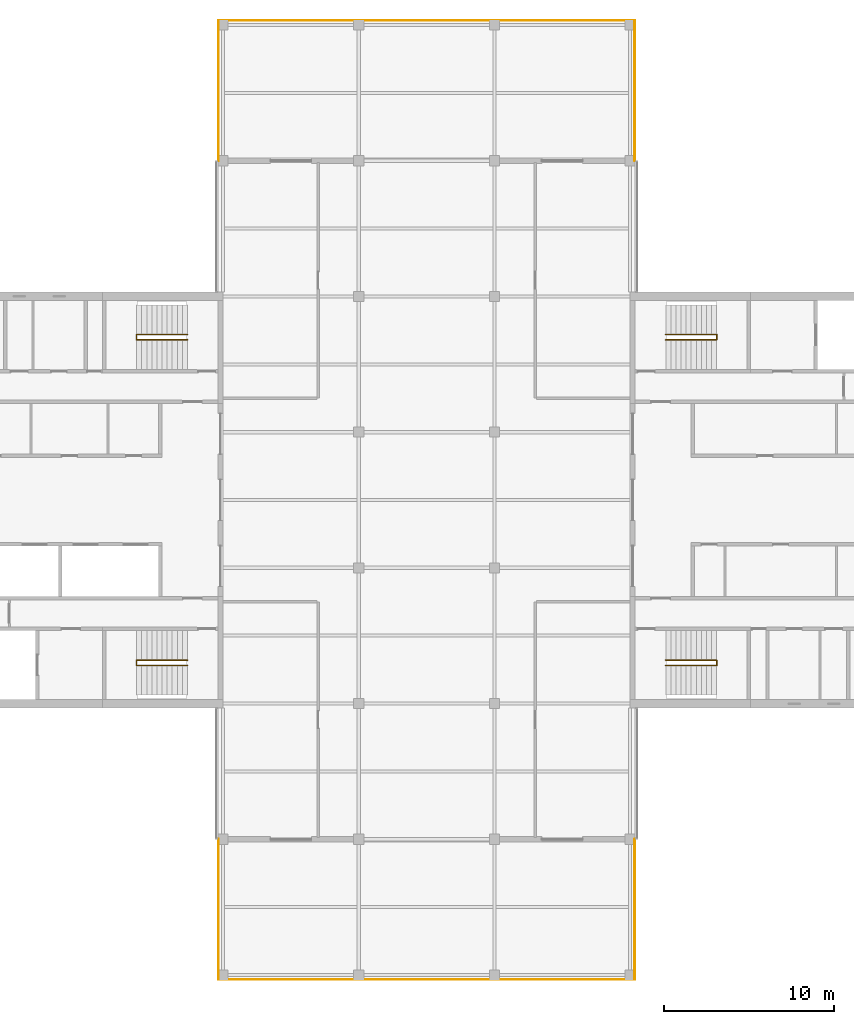
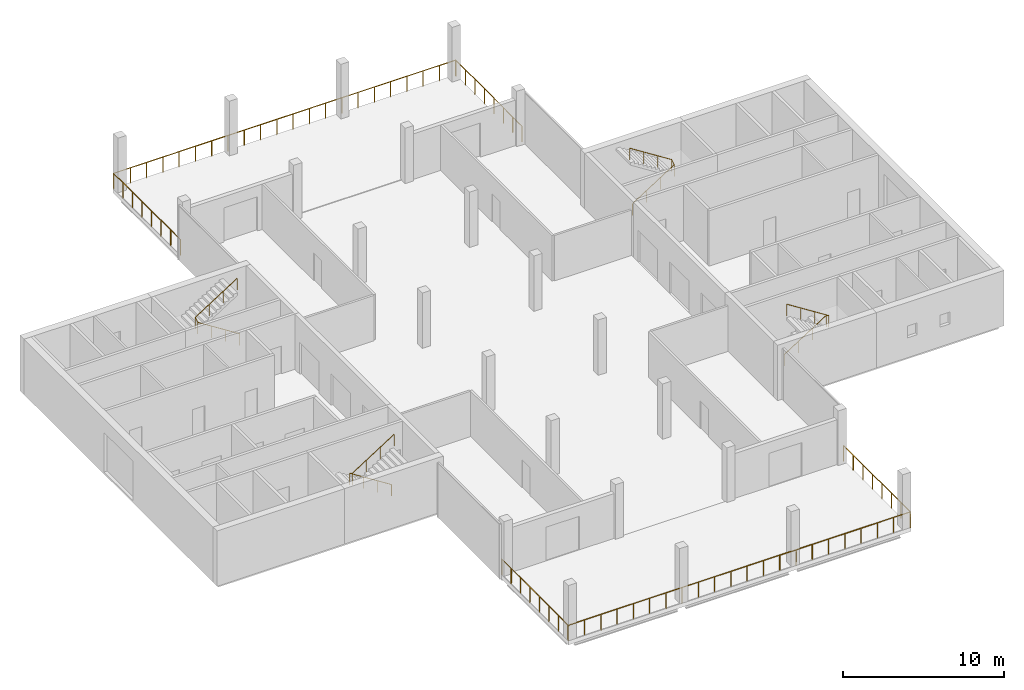
# One storey, part 12 of 12: 10 railings.
"""IFC4 building model written with IfcOpenShell, lengths in metres."""

from ifc_helpers import new_model, si_unit, direction, frame, origin, origin_2d, place, context, subcontext, project, spatial, circle, extrude, material, type_object, element, save


model = new_model("IFC4")

# Units and contexts
model_context = context("Model", 3, precision=1e-05, world=origin(), true_north=direction((0.0, 1.0)))
body_context = subcontext(model_context, "Body", "Model", "MODEL_VIEW")
ifc_project = project(units=[si_unit("LENGTHUNIT", "METRE"), si_unit("AREAUNIT", "SQUARE_METRE"), si_unit("VOLUMEUNIT", "CUBIC_METRE"), si_unit("PLANEANGLEUNIT", "RADIAN"), si_unit("MASSUNIT", "GRAM", prefix="KILO")], contexts=[model_context])

# Site, building, storey
site_placement = place(None, origin())
site = spatial("IfcSite", under=ifc_project, at=site_placement, CompositionType="ELEMENT")
building_placement = place(site_placement, origin())
building = spatial("IfcBuilding", under=site, at=building_placement, Name="Crosswind Convention Tower", CompositionType="ELEMENT")
storey_placement = place(building_placement, frame((0.0, 0.0, 332.300048828125)))
storey = spatial("IfcBuildingStorey", under=building, at=storey_placement, Name="L72", CompositionType="ELEMENT", Elevation=332.300048828125)

# Railings
ifc_material_1 = material(Name="Stainless steel", Category="steel")
railing_type_1 = type_object("IfcRailingType", Name="Stair handrail 900", PredefinedType="HANDRAIL", material=ifc_material_1)
railing_1_placement = place(storey_placement, frame((139.10009765625, 109.43994140625, 0.19091796875)))
element("IfcRailing", 1, at=railing_1_placement, inside=storey, type_object=railing_type_1, Name="Stair ST1 handrail L72", PredefinedType="HANDRAIL", context=body_context, shape_type="SweptSolid", body=[
    extrude(circle(Radius=0.02392578125, at=origin_2d()), frame((0.0, 0.0, 0.8759765625), z_axis=(0.843681277094, 0.0, 0.536844393359), x_axis=(0.0, 1.0, 0.0)), (0.0, 0.0, 1.0), 3.555908203125),
    extrude(circle(Radius=0.02392578125, at=origin_2d()), frame((3.0, 0.0, 2.78466796875), z_axis=(0.0, 0.858819504967, 0.512278301208), x_axis=(-1.0, 0.0, 0.0)), (0.0, 0.0, 1.0), 0.372802734375),
    extrude(circle(Radius=0.02392578125, at=origin_2d()), frame((3.0, 0.320068359375, 2.9755859375), z_axis=(-0.843650179428, 0.0, 0.536893261973), x_axis=(0.0, -1.0, 0.0)), (0.0, 0.0, 1.0), 3.555908203125),
    extrude(circle(Radius=0.02099609375, at=origin_2d()), origin(), (0.0, 0.0, 1.0), 0.851806640625),
    extrude(circle(Radius=0.02099609375, at=origin_2d()), frame((1.0, 0.0, 0.63623046875)), (0.0, 0.0, 1.0), 0.851806640625),
    extrude(circle(Radius=0.02099609375, at=origin_2d()), frame((2.0, 0.0, 1.272705078125)), (0.0, 0.0, 1.0), 0.851806640625),
    extrude(circle(Radius=0.02099609375, at=origin_2d()), frame((3.0, 0.0, 1.908935546875)), (0.0, 0.0, 1.0), 0.851806640625),
    extrude(circle(Radius=0.02099609375, at=origin_2d()), frame((3.0, 0.320068359375, 2.099853515625)), (0.0, 0.0, 1.0), 0.851806640625),
    extrude(circle(Radius=0.02099609375, at=origin_2d()), frame((2.0, 0.320068359375, 2.736328125)), (0.0, 0.0, 1.0), 0.851806640625),
    extrude(circle(Radius=0.02099609375, at=origin_2d()), frame((1.0, 0.320068359375, 3.37255859375)), (0.0, 0.0, 1.0), 0.851806640625),
    extrude(circle(Radius=0.02099609375, at=origin_2d()), frame((0.0, 0.320068359375, 4.009033203125)), (0.0, 0.0, 1.0), 0.851806640625),
])
railing_2_placement = place(storey_placement, frame((139.10009765625, 90.56005859375, 0.19091796875)))
element("IfcRailing", 2, at=railing_2_placement, inside=storey, type_object=railing_type_1, Name="Stair ST2 handrail L72", PredefinedType="HANDRAIL", context=body_context, shape_type="SweptSolid", body=[
    extrude(circle(Radius=0.02392578125, at=origin_2d()), frame((0.0, 0.0, 0.8759765625), z_axis=(0.843681277094, 0.0, 0.536844393359), x_axis=(0.0, 1.0, 0.0)), (0.0, 0.0, 1.0), 3.555908203125),
    extrude(circle(Radius=0.02392578125, at=origin_2d()), frame((3.0, 0.0, 2.78466796875), z_axis=(0.0, -0.858819504967, 0.512278301208), x_axis=(1.0, 0.0, 0.0)), (0.0, 0.0, 1.0), 0.372802734375),
    extrude(circle(Radius=0.02392578125, at=origin_2d()), frame((3.0, -0.320068359375, 2.9755859375), z_axis=(-0.843650179428, 0.0, 0.536893261973), x_axis=(0.0, -1.0, 0.0)), (0.0, 0.0, 1.0), 3.555908203125),
    extrude(circle(Radius=0.02099609375, at=origin_2d()), origin(), (0.0, 0.0, 1.0), 0.851806640625),
    extrude(circle(Radius=0.02099609375, at=origin_2d()), frame((1.0, 0.0, 0.63623046875)), (0.0, 0.0, 1.0), 0.851806640625),
    extrude(circle(Radius=0.02099609375, at=origin_2d()), frame((2.0, 0.0, 1.272705078125)), (0.0, 0.0, 1.0), 0.851806640625),
    extrude(circle(Radius=0.02099609375, at=origin_2d()), frame((3.0, 0.0, 1.908935546875)), (0.0, 0.0, 1.0), 0.851806640625),
    extrude(circle(Radius=0.02099609375, at=origin_2d()), frame((3.0, -0.320068359375, 2.099853515625)), (0.0, 0.0, 1.0), 0.851806640625),
    extrude(circle(Radius=0.02099609375, at=origin_2d()), frame((2.0, -0.320068359375, 2.736328125)), (0.0, 0.0, 1.0), 0.851806640625),
    extrude(circle(Radius=0.02099609375, at=origin_2d()), frame((1.0, -0.320068359375, 3.37255859375)), (0.0, 0.0, 1.0), 0.851806640625),
    extrude(circle(Radius=0.02099609375, at=origin_2d()), frame((0.0, -0.320068359375, 4.009033203125)), (0.0, 0.0, 1.0), 0.851806640625),
])
railing_3_placement = place(storey_placement, frame((110.89990234375, 90.56005859375, 0.19091796875)))
element("IfcRailing", 3, at=railing_3_placement, inside=storey, type_object=railing_type_1, Name="Stair ST3 handrail L72", PredefinedType="HANDRAIL", context=body_context, shape_type="SweptSolid", body=[
    extrude(circle(Radius=0.02392578125, at=origin_2d()), frame((0.0, 0.0, 0.8759765625), z_axis=(-0.843681277094, 0.0, 0.536844393359), x_axis=(0.0, -1.0, 0.0)), (0.0, 0.0, 1.0), 3.555908203125),
    extrude(circle(Radius=0.02392578125, at=origin_2d()), frame((-3.0, 0.0, 2.78466796875), z_axis=(0.0, -0.858819504967, 0.512278301208), x_axis=(1.0, 0.0, 0.0)), (0.0, 0.0, 1.0), 0.372802734375),
    extrude(circle(Radius=0.02392578125, at=origin_2d()), frame((-3.0, -0.320068359375, 2.9755859375), z_axis=(0.843650179428, 0.0, 0.536893261973), x_axis=(0.0, 1.0, 0.0)), (0.0, 0.0, 1.0), 3.555908203125),
    extrude(circle(Radius=0.02099609375, at=origin_2d()), origin(), (0.0, 0.0, 1.0), 0.851806640625),
    extrude(circle(Radius=0.02099609375, at=origin_2d()), frame((-1.0, 0.0, 0.63623046875)), (0.0, 0.0, 1.0), 0.851806640625),
    extrude(circle(Radius=0.02099609375, at=origin_2d()), frame((-2.0, 0.0, 1.272705078125)), (0.0, 0.0, 1.0), 0.851806640625),
    extrude(circle(Radius=0.02099609375, at=origin_2d()), frame((-3.0, 0.0, 1.908935546875)), (0.0, 0.0, 1.0), 0.851806640625),
    extrude(circle(Radius=0.02099609375, at=origin_2d()), frame((-3.0, -0.320068359375, 2.099853515625)), (0.0, 0.0, 1.0), 0.851806640625),
    extrude(circle(Radius=0.02099609375, at=origin_2d()), frame((-2.0, -0.320068359375, 2.736328125)), (0.0, 0.0, 1.0), 0.851806640625),
    extrude(circle(Radius=0.02099609375, at=origin_2d()), frame((-1.0, -0.320068359375, 3.37255859375)), (0.0, 0.0, 1.0), 0.851806640625),
    extrude(circle(Radius=0.02099609375, at=origin_2d()), frame((0.0, -0.320068359375, 4.009033203125)), (0.0, 0.0, 1.0), 0.851806640625),
])
railing_4_placement = place(storey_placement, frame((110.89990234375, 109.43994140625, 0.19091796875)))
element("IfcRailing", 4, at=railing_4_placement, inside=storey, type_object=railing_type_1, Name="Stair ST4 handrail L72", PredefinedType="HANDRAIL", context=body_context, shape_type="SweptSolid", body=[
    extrude(circle(Radius=0.02392578125, at=origin_2d()), frame((0.0, 0.0, 0.8759765625), z_axis=(-0.843681277094, 0.0, 0.536844393359), x_axis=(0.0, -1.0, 0.0)), (0.0, 0.0, 1.0), 3.555908203125),
    extrude(circle(Radius=0.02392578125, at=origin_2d()), frame((-3.0, 0.0, 2.78466796875), z_axis=(0.0, 0.858819504967, 0.512278301208), x_axis=(-1.0, 0.0, 0.0)), (0.0, 0.0, 1.0), 0.372802734375),
    extrude(circle(Radius=0.02392578125, at=origin_2d()), frame((-3.0, 0.320068359375, 2.9755859375), z_axis=(0.843650179428, 0.0, 0.536893261973), x_axis=(0.0, 1.0, 0.0)), (0.0, 0.0, 1.0), 3.555908203125),
    extrude(circle(Radius=0.02099609375, at=origin_2d()), origin(), (0.0, 0.0, 1.0), 0.851806640625),
    extrude(circle(Radius=0.02099609375, at=origin_2d()), frame((-1.0, 0.0, 0.63623046875)), (0.0, 0.0, 1.0), 0.851806640625),
    extrude(circle(Radius=0.02099609375, at=origin_2d()), frame((-2.0, 0.0, 1.272705078125)), (0.0, 0.0, 1.0), 0.851806640625),
    extrude(circle(Radius=0.02099609375, at=origin_2d()), frame((-3.0, 0.0, 1.908935546875)), (0.0, 0.0, 1.0), 0.851806640625),
    extrude(circle(Radius=0.02099609375, at=origin_2d()), frame((-3.0, 0.320068359375, 2.099853515625)), (0.0, 0.0, 1.0), 0.851806640625),
    extrude(circle(Radius=0.02099609375, at=origin_2d()), frame((-2.0, 0.320068359375, 2.736328125)), (0.0, 0.0, 1.0), 0.851806640625),
    extrude(circle(Radius=0.02099609375, at=origin_2d()), frame((-1.0, 0.320068359375, 3.37255859375)), (0.0, 0.0, 1.0), 0.851806640625),
    extrude(circle(Radius=0.02099609375, at=origin_2d()), frame((0.0, 0.320068359375, 4.009033203125)), (0.0, 0.0, 1.0), 0.851806640625),
])
ifc_material_2 = material(Name="Stainless steel guard", Category="steel")
railing_type_2 = type_object("IfcRailingType", Name="WIND FLOOR GUARD 1200", PredefinedType="GUARDRAIL", material=ifc_material_2)
railing_5_placement = place(storey_placement, frame((112.72509765625, 119.989990234375, 0.0)))
element("IfcRailing", 5, at=railing_5_placement, inside=storey, type_object=railing_type_2, Name="R12 guard L72 1", PredefinedType="GUARDRAIL", context=body_context, shape_type="SweptSolid", body=[
    extrude(circle(Radius=0.01904296875, at=origin_2d()), frame((0.0, 0.0, 1.180908203125), z_axis=(0.0, 1.0, 0.0), x_axis=(-1.0, 0.0, 0.0)), (0.0, 0.0, 1.0), 8.284912109375),
    extrude(circle(Radius=0.01611328125, at=origin_2d()), origin(), (0.0, 0.0, 1.0), 1.161865234375),
    extrude(circle(Radius=0.01611328125, at=origin_2d()), frame((0.0, 1.18359375, 0.0)), (0.0, 0.0, 1.0), 1.161865234375),
    extrude(circle(Radius=0.01611328125, at=origin_2d()), frame((0.0, 2.3671875, 0.0)), (0.0, 0.0, 1.0), 1.161865234375),
    extrude(circle(Radius=0.01611328125, at=origin_2d()), frame((0.0, 3.55078125, 0.0)), (0.0, 0.0, 1.0), 1.161865234375),
    extrude(circle(Radius=0.01611328125, at=origin_2d()), frame((0.0, 4.734130859375, 0.0)), (0.0, 0.0, 1.0), 1.161865234375),
    extrude(circle(Radius=0.01611328125, at=origin_2d()), frame((0.0, 5.917724609375, 0.0)), (0.0, 0.0, 1.0), 1.161865234375),
    extrude(circle(Radius=0.01611328125, at=origin_2d()), frame((0.0, 7.101318359375, 0.0)), (0.0, 0.0, 1.0), 1.161865234375),
    extrude(circle(Radius=0.01611328125, at=origin_2d()), frame((0.0, 8.284912109375, 0.0)), (0.0, 0.0, 1.0), 1.161865234375),
])
railing_6_placement = place(storey_placement, frame((112.764892578125, 128.27490234375, 0.0)))
element("IfcRailing", 6, at=railing_6_placement, inside=storey, type_object=railing_type_2, Name="R12 guard L72 2", PredefinedType="GUARDRAIL", context=body_context, shape_type="SweptSolid", body=[
    extrude(circle(Radius=0.01904296875, at=origin_2d()), frame((0.0, 0.0, 1.180908203125), z_axis=(1.0, 0.0, 0.0), x_axis=(0.0, 1.0, 0.0)), (0.0, 0.0, 1.0), 24.510009765625),
    extrude(circle(Radius=0.01611328125, at=origin_2d()), origin(), (0.0, 0.0, 1.0), 1.161865234375),
    extrude(circle(Radius=0.01611328125, at=origin_2d()), frame((1.167236328125, 0.0, 0.0)), (0.0, 0.0, 1.0), 1.161865234375),
    extrude(circle(Radius=0.01611328125, at=origin_2d()), frame((2.334228515625, 0.0, 0.0)), (0.0, 0.0, 1.0), 1.161865234375),
    extrude(circle(Radius=0.01611328125, at=origin_2d()), frame((3.50146484375, 0.0, 0.0)), (0.0, 0.0, 1.0), 1.161865234375),
    extrude(circle(Radius=0.01611328125, at=origin_2d()), frame((4.66845703125, 0.0, 0.0)), (0.0, 0.0, 1.0), 1.161865234375),
    extrude(circle(Radius=0.01611328125, at=origin_2d()), frame((5.835693359375, 0.0, 0.0)), (0.0, 0.0, 1.0), 1.161865234375),
    extrude(circle(Radius=0.01611328125, at=origin_2d()), frame((7.0029296875, 0.0, 0.0)), (0.0, 0.0, 1.0), 1.161865234375),
    extrude(circle(Radius=0.01611328125, at=origin_2d()), frame((8.169921875, 0.0, 0.0)), (0.0, 0.0, 1.0), 1.161865234375),
    extrude(circle(Radius=0.01611328125, at=origin_2d()), frame((9.337158203125, 0.0, 0.0)), (0.0, 0.0, 1.0), 1.161865234375),
    extrude(circle(Radius=0.01611328125, at=origin_2d()), frame((10.50439453125, 0.0, 0.0)), (0.0, 0.0, 1.0), 1.161865234375),
    extrude(circle(Radius=0.01611328125, at=origin_2d()), frame((11.67138671875, 0.0, 0.0)), (0.0, 0.0, 1.0), 1.161865234375),
    extrude(circle(Radius=0.01611328125, at=origin_2d()), frame((12.838623046875, 0.0, 0.0)), (0.0, 0.0, 1.0), 1.161865234375),
    extrude(circle(Radius=0.01611328125, at=origin_2d()), frame((14.005615234375, 0.0, 0.0)), (0.0, 0.0, 1.0), 1.161865234375),
    extrude(circle(Radius=0.01611328125, at=origin_2d()), frame((15.1728515625, 0.0, 0.0)), (0.0, 0.0, 1.0), 1.161865234375),
    extrude(circle(Radius=0.01611328125, at=origin_2d()), frame((16.340087890625, 0.0, 0.0)), (0.0, 0.0, 1.0), 1.161865234375),
    extrude(circle(Radius=0.01611328125, at=origin_2d()), frame((17.507080078125, 0.0, 0.0)), (0.0, 0.0, 1.0), 1.161865234375),
    extrude(circle(Radius=0.01611328125, at=origin_2d()), frame((18.67431640625, 0.0, 0.0)), (0.0, 0.0, 1.0), 1.161865234375),
    extrude(circle(Radius=0.01611328125, at=origin_2d()), frame((19.841552734375, 0.0, 0.0)), (0.0, 0.0, 1.0), 1.161865234375),
    extrude(circle(Radius=0.01611328125, at=origin_2d()), frame((21.008544921875, 0.0, 0.0)), (0.0, 0.0, 1.0), 1.161865234375),
    extrude(circle(Radius=0.01611328125, at=origin_2d()), frame((22.17578125, 0.0, 0.0)), (0.0, 0.0, 1.0), 1.161865234375),
    extrude(circle(Radius=0.01611328125, at=origin_2d()), frame((23.3427734375, 0.0, 0.0)), (0.0, 0.0, 1.0), 1.161865234375),
    extrude(circle(Radius=0.01611328125, at=origin_2d()), frame((24.510009765625, 0.0, 0.0)), (0.0, 0.0, 1.0), 1.161865234375),
])
railing_7_placement = place(storey_placement, frame((137.27490234375, 128.235107421875, 0.0)))
element("IfcRailing", 7, at=railing_7_placement, inside=storey, type_object=railing_type_2, Name="R12 guard L72 3", PredefinedType="GUARDRAIL", context=body_context, shape_type="SweptSolid", body=[
    extrude(circle(Radius=0.01904296875, at=origin_2d()), frame((0.0, 0.0, 1.180908203125), z_axis=(0.0, -1.0, 0.0), x_axis=(1.0, 0.0, 0.0)), (0.0, 0.0, 1.0), 8.2451171875),
    extrude(circle(Radius=0.01611328125, at=origin_2d()), origin(), (0.0, 0.0, 1.0), 1.161865234375),
    extrude(circle(Radius=0.01611328125, at=origin_2d()), frame((0.0, -1.177978515625, 0.0)), (0.0, 0.0, 1.0), 1.161865234375),
    extrude(circle(Radius=0.01611328125, at=origin_2d()), frame((0.0, -2.355712890625, 0.0)), (0.0, 0.0, 1.0), 1.161865234375),
    extrude(circle(Radius=0.01611328125, at=origin_2d()), frame((0.0, -3.53369140625, 0.0)), (0.0, 0.0, 1.0), 1.161865234375),
    extrude(circle(Radius=0.01611328125, at=origin_2d()), frame((0.0, -4.71142578125, 0.0)), (0.0, 0.0, 1.0), 1.161865234375),
    extrude(circle(Radius=0.01611328125, at=origin_2d()), frame((0.0, -5.889404296875, 0.0)), (0.0, 0.0, 1.0), 1.161865234375),
    extrude(circle(Radius=0.01611328125, at=origin_2d()), frame((0.0, -7.067138671875, 0.0)), (0.0, 0.0, 1.0), 1.161865234375),
    extrude(circle(Radius=0.01611328125, at=origin_2d()), frame((0.0, -8.2451171875, 0.0)), (0.0, 0.0, 1.0), 1.161865234375),
])
railing_8_placement = place(storey_placement, frame((137.27490234375, 80.010009765625, 0.0)))
element("IfcRailing", 8, at=railing_8_placement, inside=storey, type_object=railing_type_2, Name="R12 guard L72 4", PredefinedType="GUARDRAIL", context=body_context, shape_type="SweptSolid", body=[
    extrude(circle(Radius=0.01904296875, at=origin_2d()), frame((0.0, 0.0, 1.180908203125), z_axis=(0.0, -1.0, 0.0), x_axis=(1.0, 0.0, 0.0)), (0.0, 0.0, 1.0), 8.284912109375),
    extrude(circle(Radius=0.01611328125, at=origin_2d()), origin(), (0.0, 0.0, 1.0), 1.161865234375),
    extrude(circle(Radius=0.01611328125, at=origin_2d()), frame((0.0, -1.18359375, 0.0)), (0.0, 0.0, 1.0), 1.161865234375),
    extrude(circle(Radius=0.01611328125, at=origin_2d()), frame((0.0, -2.3671875, 0.0)), (0.0, 0.0, 1.0), 1.161865234375),
    extrude(circle(Radius=0.01611328125, at=origin_2d()), frame((0.0, -3.55078125, 0.0)), (0.0, 0.0, 1.0), 1.161865234375),
    extrude(circle(Radius=0.01611328125, at=origin_2d()), frame((0.0, -4.734130859375, 0.0)), (0.0, 0.0, 1.0), 1.161865234375),
    extrude(circle(Radius=0.01611328125, at=origin_2d()), frame((0.0, -5.917724609375, 0.0)), (0.0, 0.0, 1.0), 1.161865234375),
    extrude(circle(Radius=0.01611328125, at=origin_2d()), frame((0.0, -7.101318359375, 0.0)), (0.0, 0.0, 1.0), 1.161865234375),
    extrude(circle(Radius=0.01611328125, at=origin_2d()), frame((0.0, -8.284912109375, 0.0)), (0.0, 0.0, 1.0), 1.161865234375),
])
railing_9_placement = place(storey_placement, frame((137.235107421875, 71.72509765625, 0.0)))
element("IfcRailing", 9, at=railing_9_placement, inside=storey, type_object=railing_type_2, Name="R12 guard L72 5", PredefinedType="GUARDRAIL", context=body_context, shape_type="SweptSolid", body=[
    extrude(circle(Radius=0.01904296875, at=origin_2d()), frame((0.0, 0.0, 1.180908203125), z_axis=(-1.0, 0.0, 0.0), x_axis=(0.0, -1.0, 0.0)), (0.0, 0.0, 1.0), 24.510009765625),
    extrude(circle(Radius=0.01611328125, at=origin_2d()), origin(), (0.0, 0.0, 1.0), 1.161865234375),
    extrude(circle(Radius=0.01611328125, at=origin_2d()), frame((-1.167236328125, 0.0, 0.0)), (0.0, 0.0, 1.0), 1.161865234375),
    extrude(circle(Radius=0.01611328125, at=origin_2d()), frame((-2.334228515625, 0.0, 0.0)), (0.0, 0.0, 1.0), 1.161865234375),
    extrude(circle(Radius=0.01611328125, at=origin_2d()), frame((-3.50146484375, 0.0, 0.0)), (0.0, 0.0, 1.0), 1.161865234375),
    extrude(circle(Radius=0.01611328125, at=origin_2d()), frame((-4.66845703125, 0.0, 0.0)), (0.0, 0.0, 1.0), 1.161865234375),
    extrude(circle(Radius=0.01611328125, at=origin_2d()), frame((-5.835693359375, 0.0, 0.0)), (0.0, 0.0, 1.0), 1.161865234375),
    extrude(circle(Radius=0.01611328125, at=origin_2d()), frame((-7.0029296875, 0.0, 0.0)), (0.0, 0.0, 1.0), 1.161865234375),
    extrude(circle(Radius=0.01611328125, at=origin_2d()), frame((-8.169921875, 0.0, 0.0)), (0.0, 0.0, 1.0), 1.161865234375),
    extrude(circle(Radius=0.01611328125, at=origin_2d()), frame((-9.337158203125, 0.0, 0.0)), (0.0, 0.0, 1.0), 1.161865234375),
    extrude(circle(Radius=0.01611328125, at=origin_2d()), frame((-10.50439453125, 0.0, 0.0)), (0.0, 0.0, 1.0), 1.161865234375),
    extrude(circle(Radius=0.01611328125, at=origin_2d()), frame((-11.67138671875, 0.0, 0.0)), (0.0, 0.0, 1.0), 1.161865234375),
    extrude(circle(Radius=0.01611328125, at=origin_2d()), frame((-12.838623046875, 0.0, 0.0)), (0.0, 0.0, 1.0), 1.161865234375),
    extrude(circle(Radius=0.01611328125, at=origin_2d()), frame((-14.005615234375, 0.0, 0.0)), (0.0, 0.0, 1.0), 1.161865234375),
    extrude(circle(Radius=0.01611328125, at=origin_2d()), frame((-15.1728515625, 0.0, 0.0)), (0.0, 0.0, 1.0), 1.161865234375),
    extrude(circle(Radius=0.01611328125, at=origin_2d()), frame((-16.340087890625, 0.0, 0.0)), (0.0, 0.0, 1.0), 1.161865234375),
    extrude(circle(Radius=0.01611328125, at=origin_2d()), frame((-17.507080078125, 0.0, 0.0)), (0.0, 0.0, 1.0), 1.161865234375),
    extrude(circle(Radius=0.01611328125, at=origin_2d()), frame((-18.67431640625, 0.0, 0.0)), (0.0, 0.0, 1.0), 1.161865234375),
    extrude(circle(Radius=0.01611328125, at=origin_2d()), frame((-19.841552734375, 0.0, 0.0)), (0.0, 0.0, 1.0), 1.161865234375),
    extrude(circle(Radius=0.01611328125, at=origin_2d()), frame((-21.008544921875, 0.0, 0.0)), (0.0, 0.0, 1.0), 1.161865234375),
    extrude(circle(Radius=0.01611328125, at=origin_2d()), frame((-22.17578125, 0.0, 0.0)), (0.0, 0.0, 1.0), 1.161865234375),
    extrude(circle(Radius=0.01611328125, at=origin_2d()), frame((-23.3427734375, 0.0, 0.0)), (0.0, 0.0, 1.0), 1.161865234375),
    extrude(circle(Radius=0.01611328125, at=origin_2d()), frame((-24.510009765625, 0.0, 0.0)), (0.0, 0.0, 1.0), 1.161865234375),
])
railing_10_placement = place(storey_placement, frame((112.72509765625, 71.764892578125, 0.0)))
element("IfcRailing", 10, at=railing_10_placement, inside=storey, type_object=railing_type_2, Name="R12 guard L72 6", PredefinedType="GUARDRAIL", context=body_context, shape_type="SweptSolid", body=[
    extrude(circle(Radius=0.01904296875, at=origin_2d()), frame((0.0, 0.0, 1.180908203125), z_axis=(0.0, 1.0, 0.0), x_axis=(-1.0, 0.0, 0.0)), (0.0, 0.0, 1.0), 8.2451171875),
    extrude(circle(Radius=0.01611328125, at=origin_2d()), origin(), (0.0, 0.0, 1.0), 1.161865234375),
    extrude(circle(Radius=0.01611328125, at=origin_2d()), frame((0.0, 1.177978515625, 0.0)), (0.0, 0.0, 1.0), 1.161865234375),
    extrude(circle(Radius=0.01611328125, at=origin_2d()), frame((0.0, 2.355712890625, 0.0)), (0.0, 0.0, 1.0), 1.161865234375),
    extrude(circle(Radius=0.01611328125, at=origin_2d()), frame((0.0, 3.53369140625, 0.0)), (0.0, 0.0, 1.0), 1.161865234375),
    extrude(circle(Radius=0.01611328125, at=origin_2d()), frame((0.0, 4.71142578125, 0.0)), (0.0, 0.0, 1.0), 1.161865234375),
    extrude(circle(Radius=0.01611328125, at=origin_2d()), frame((0.0, 5.889404296875, 0.0)), (0.0, 0.0, 1.0), 1.161865234375),
    extrude(circle(Radius=0.01611328125, at=origin_2d()), frame((0.0, 7.067138671875, 0.0)), (0.0, 0.0, 1.0), 1.161865234375),
    extrude(circle(Radius=0.01611328125, at=origin_2d()), frame((0.0, 8.2451171875, 0.0)), (0.0, 0.0, 1.0), 1.161865234375),
])

save(model, "model.ifc")
